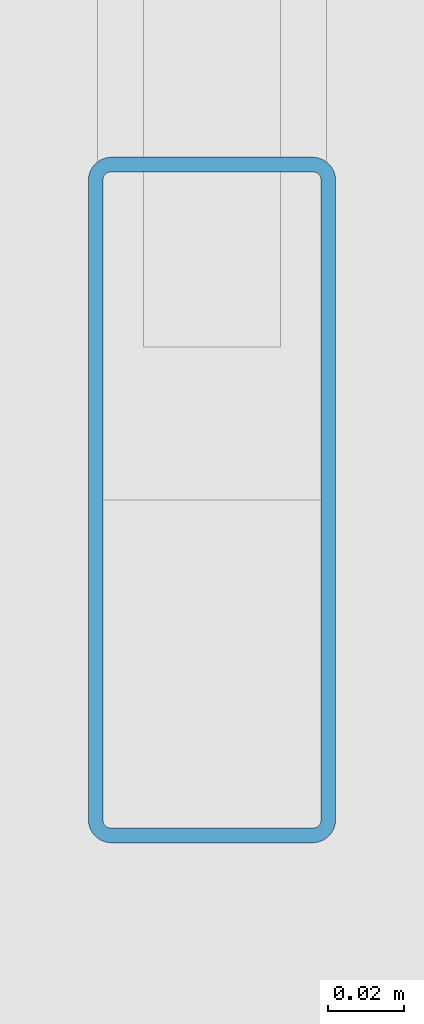
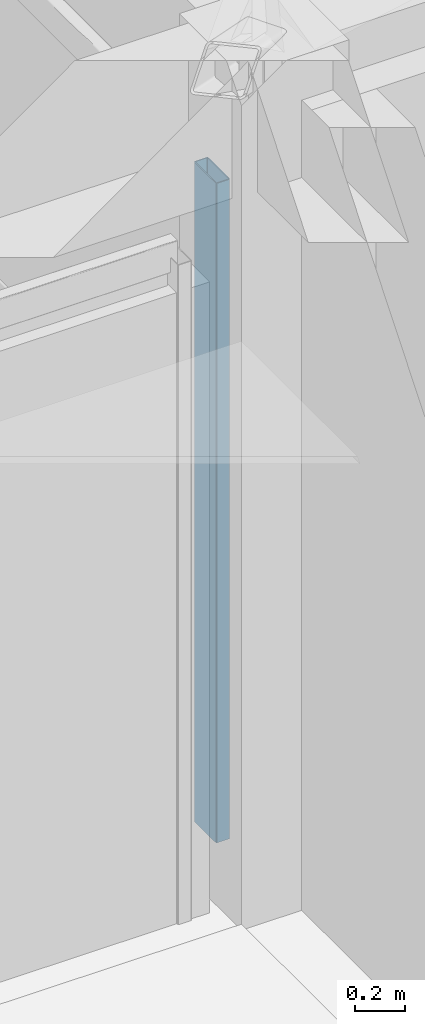
# One storey, part 34 of 65: 1 member, 1 element without a shape of its own.
"""IFC4 building model written with IfcOpenShell, lengths in metres."""

from ifc_helpers import new_model, si_unit, direction, frame, origin, origin_2d, place, context, subcontext, project, spatial, hollow_rectangle, extrude, material, material_profile, profile_set, type_object, element, aggregate, save


model = new_model("IFC4")

# Units and contexts
model_context = context("Model", 3, precision=1e-05, world=origin(), true_north=direction((0.0, 1.0)))
body_context = subcontext(model_context, "Body", "Model", "MODEL_VIEW")
ifc_project = project(units=[si_unit("LENGTHUNIT", "METRE"), si_unit("AREAUNIT", "SQUARE_METRE"), si_unit("VOLUMEUNIT", "CUBIC_METRE"), si_unit("PLANEANGLEUNIT", "RADIAN"), si_unit("MASSUNIT", "GRAM", prefix="KILO")], contexts=[model_context])

# Site, building, storey
site_placement = place(None, origin())
site = spatial("IfcSite", under=ifc_project, at=site_placement, CompositionType="ELEMENT")
building_placement = place(site_placement, origin())
building = spatial("IfcBuilding", under=site, at=building_placement, Name="Varnabhumi Central Station", CompositionType="ELEMENT")
storey_placement = place(building_placement, frame((0.0, 0.0, 24.60009765625)))
storey = spatial("IfcBuildingStorey", under=building, at=storey_placement, Name="L05", CompositionType="ELEMENT", Elevation=24.60009765625)

# Curtain wall, member
ifc_material = material(Name="Anodised aluminium 6063-T6", Category="aluminium")
curtain_wall_type = type_object("IfcCurtainWallType", Name="CW-PATIO-LOGGIA-L3", PredefinedType="NOTDEFINED", material=ifc_material)
curtain_wall_placement = place(storey_placement, origin())
curtain_wall = element("IfcCurtainWall", 1, at=curtain_wall_placement, inside=storey, type_object=curtain_wall_type, Name="Curtain Wall CW-SP5W1", PredefinedType="NOTDEFINED")
ifc_material_profile = material_profile(ifc_material, hollow_rectangle(XDim=0.06494140625, YDim=0.179931640625, WallThickness=0.00390625, InnerFilletRadius=0.001953125, OuterFilletRadius=0.006103515625, at=origin_2d()), Name="Anodised aluminium 6063-T6", Category="aluminium")
ifc_profile_set = profile_set([ifc_material_profile], Name="Anodised aluminium 6063-T6")
member_type = type_object("IfcMemberType", Name="CW-MUL-180", PredefinedType="MULLION", material=ifc_profile_set)
member_placement = place(storey_placement, frame((144.0, 9.419921875, 0.0), z_axis=(0.0, 0.0, 1.0), x_axis=(1.0, 0.0, 0.0)))
member = element("IfcMember", 2, at=member_placement, type_object=member_type, Name="Curtain Wall Mullion CW-SP5W1-M1", PredefinedType="MULLION", context=body_context, shape_type="SweptSolid", body=[
    extrude(hollow_rectangle(XDim=0.06494140625, YDim=0.179931640625, WallThickness=0.00390625, InnerFilletRadius=0.001953125, OuterFilletRadius=0.006103515625, at=origin_2d()), origin(), (0.0, 0.0, 1.0), 3.239990234375),
])
aggregate(curtain_wall, [member])

save(model, "model.ifc")
